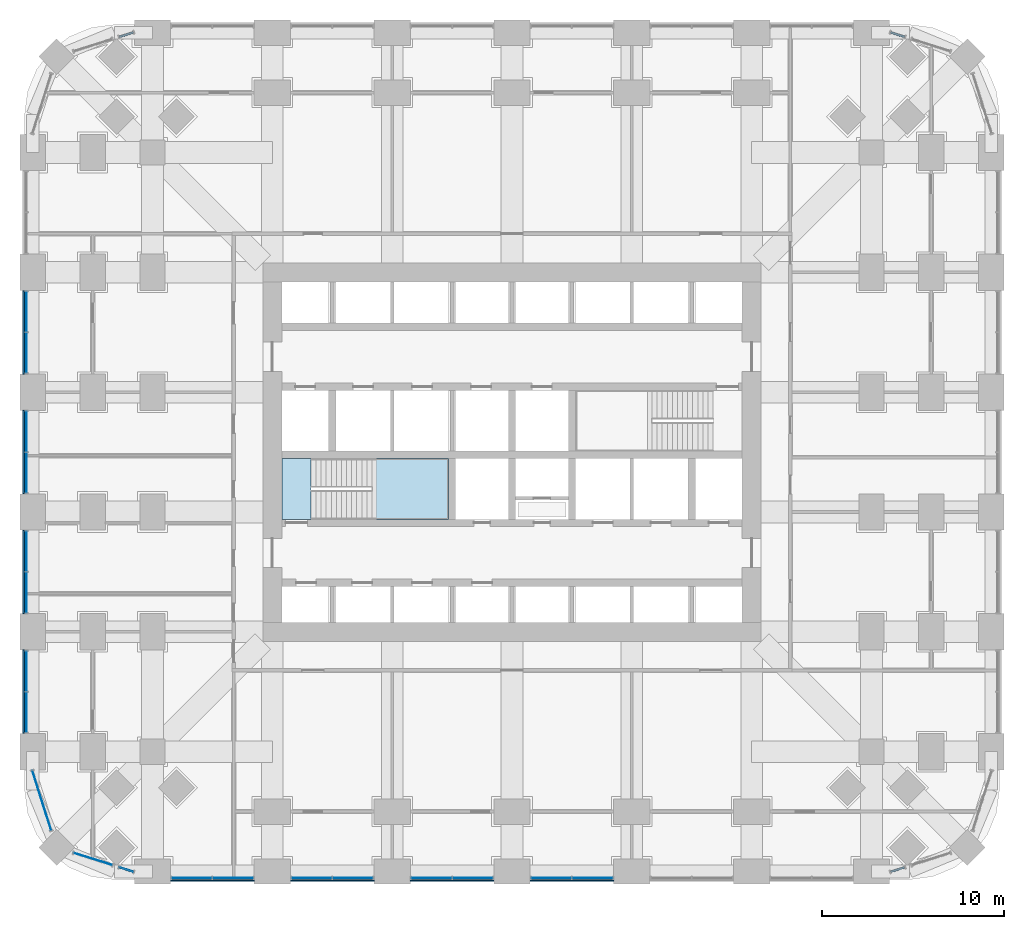
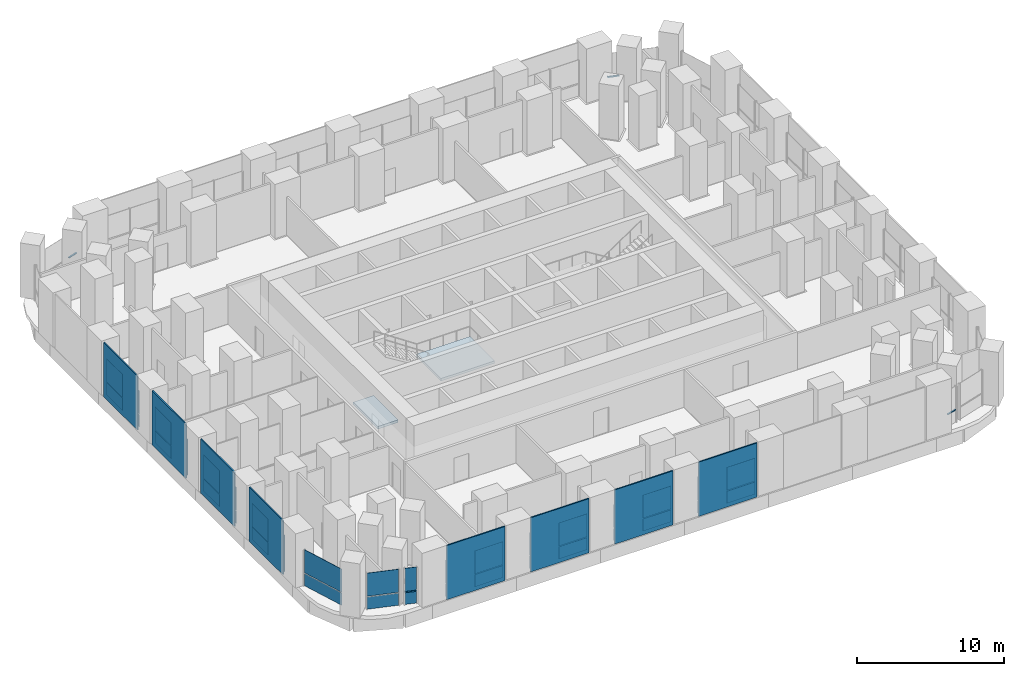
# One storey, part 7 of 17: 46 plates, 4 members, 2 slabs, 15 elements without a shape of their own.
"""IFC4 building model written with IfcOpenShell, lengths in metres."""

from ifc_helpers import new_model, si_unit, direction, frame, origin, origin_2d, place, context, subcontext, project, spatial, polyline, rectangle, outline, extrude, material, layer, layer_set, material_profile, profile_set, type_object, element, aggregate, save


model = new_model("IFC4")

# Units and contexts
model_context = context("Model", 3, precision=1e-05, world=origin(), true_north=direction((0.0, 1.0)))
body_context = subcontext(model_context, "Body", "Model", "MODEL_VIEW")
ifc_project = project(units=[si_unit("LENGTHUNIT", "METRE"), si_unit("AREAUNIT", "SQUARE_METRE"), si_unit("VOLUMEUNIT", "CUBIC_METRE"), si_unit("PLANEANGLEUNIT", "RADIAN"), si_unit("MASSUNIT", "GRAM", prefix="KILO")], contexts=[model_context])

# Site, building, storey
site_placement = place(None, origin())
site = spatial("IfcSite", under=ifc_project, at=site_placement, CompositionType="ELEMENT")
building_placement = place(site_placement, origin())
building = spatial("IfcBuilding", under=site, at=building_placement, Name="Cobogo Forest Laboratory Tower", CompositionType="ELEMENT")
storey_placement = place(building_placement, frame((0.0, 0.0, 12.60009765625)))
storey = spatial("IfcBuildingStorey", under=building, at=storey_placement, Name="L02", CompositionType="ELEMENT", Elevation=12.60009765625)

# Curtain wall, member
ifc_material_1 = material(Name="Aluminium curtain wall", Category="aluminium")
curtain_wall_type = type_object("IfcCurtainWallType", Name="CW-K stick curtain wall, podium laboratories", PredefinedType="USERDEFINED", material=ifc_material_1)
curtain_wall_1_placement = place(storey_placement, origin())
curtain_wall_1 = element("IfcCurtainWall", 1, at=curtain_wall_1_placement, inside=storey, type_object=curtain_wall_type, Name="Curtain wall 07 L02", ObjectType="STICK CURTAIN WALL", PredefinedType="USERDEFINED")
ifc_material_2 = material(Name="Aluminium transom", Category="aluminium")
ifc_material_profile = material_profile(ifc_material_2, rectangle(XDim=0.1201171875, YDim=0.06005859375, at=origin_2d()), Name="AL 60x120")
ifc_profile_set = profile_set([ifc_material_profile], Name="Aluminium transom")
member_type = type_object("IfcMemberType", Name="TR-1 aluminium transom 60x120", PredefinedType="USERDEFINED", material=ifc_profile_set)
member_1_placement = place(storey_placement, frame((47.25732421875, -0.01611328125, 1.0498046875), z_axis=(0.953541389606, 0.301262042596, 0.0), x_axis=(-0.301262042596, 0.953541389606, 0.0)))
member_1 = element("IfcMember", 2, at=member_1_placement, type_object=member_type, Name="CW-K transom 1.1", ObjectType="TRANSOM", PredefinedType="USERDEFINED", context=body_context, shape_type="SweptSolid", body=[
    extrude(rectangle(XDim=0.1201171875, YDim=0.06005859375, at=origin_2d()), origin(), (0.0, 0.0, 1.0), 0.8046875),
])
aggregate(curtain_wall_1, [member_1])

curtain_wall_2_placement = place(storey_placement, origin())
curtain_wall_2 = element("IfcCurtainWall", 3, at=curtain_wall_2_placement, inside=storey, type_object=curtain_wall_type, Name="Curtain wall 17 L02", ObjectType="STICK CURTAIN WALL", PredefinedType="USERDEFINED")
member_2_placement = place(storey_placement, frame((48.024658203125, 45.973876953125, 1.0498046875), z_axis=(-0.953628510017, 0.300986153973, 0.0), x_axis=(-0.300986153973, -0.953628510017, 0.0)))
member_2 = element("IfcMember", 4, at=member_2_placement, type_object=member_type, Name="CW-K transom 1.1", ObjectType="TRANSOM", PredefinedType="USERDEFINED", context=body_context, shape_type="SweptSolid", body=[
    extrude(rectangle(XDim=0.1201171875, YDim=0.06005859375, at=origin_2d()), origin(), (0.0, 0.0, 1.0), 0.8046875),
])
aggregate(curtain_wall_2, [member_2])

curtain_wall_3_placement = place(storey_placement, origin())
curtain_wall_3 = element("IfcCurtainWall", 5, at=curtain_wall_3_placement, inside=storey, type_object=curtain_wall_type, Name="Curtain wall 24 L02", ObjectType="STICK CURTAIN WALL", PredefinedType="USERDEFINED")
member_3_placement = place(storey_placement, frame((5.542724609375, 46.216064453125, 1.0498046875), z_axis=(-0.953628510017, -0.300986153973, 0.0), x_axis=(0.300986153973, -0.953628510017, 0.0)))
member_3 = element("IfcMember", 6, at=member_3_placement, type_object=member_type, Name="CW-K transom 1.1", ObjectType="TRANSOM", PredefinedType="USERDEFINED", context=body_context, shape_type="SweptSolid", body=[
    extrude(rectangle(XDim=0.1201171875, YDim=0.06005859375, at=origin_2d()), origin(), (0.0, 0.0, 1.0), 0.8046875),
])
aggregate(curtain_wall_3, [member_3])

curtain_wall_4_placement = place(storey_placement, origin())
curtain_wall_4 = element("IfcCurtainWall", 7, at=curtain_wall_4_placement, inside=storey, type_object=curtain_wall_type, Name="Curtain wall 34 L02", ObjectType="STICK CURTAIN WALL", PredefinedType="USERDEFINED")
member_4_placement = place(storey_placement, frame((4.775390625, 0.226318359375, 1.0498046875), z_axis=(0.953541389606, -0.301262042596, 0.0), x_axis=(0.301262042596, 0.953541389606, 0.0)))
member_4 = element("IfcMember", 8, at=member_4_placement, type_object=member_type, Name="CW-K transom 1.1", ObjectType="TRANSOM", PredefinedType="USERDEFINED", context=body_context, shape_type="SweptSolid", body=[
    extrude(rectangle(XDim=0.1201171875, YDim=0.06005859375, at=origin_2d()), origin(), (0.0, 0.0, 1.0), 0.8046875),
])

# Plates
ifc_material_3 = material(Name="Pierced concrete block", Category="concrete")
ifc_layer_1 = layer(ifc_material_3, 0.10009765625)
ifc_layer_set_1 = layer_set([ifc_layer_1], Name="CO1 cobogo block screen 100")
plate_type_1 = type_object("IfcPlateType", Name="CO1 cobogo block screen 100", PredefinedType="USERDEFINED", material=ifc_layer_set_1)
for number, where, z_axis, x_axis, name in (
    (9, (9.89990234375, -0.5, -0.150146484375), (0.0, 0.0, 1.0), (1.0, 0.0, 0.0), "Cobogo screen S1 L02"),
    (10, (16.5, -0.5, -0.150146484375), (0.0, 0.0, 1.0), (1.0, 0.0, 0.0), "Cobogo screen S2 L02"),
    (11, (23.10009765625, -0.5, -0.150146484375), (0.0, 0.0, 1.0), (1.0, 0.0, 0.0), "Cobogo screen S3 L02"),
    (12, (29.699951171875, -0.5, -0.150146484375), (0.0, 0.0, 1.0), (1.0, 0.0, 0.0), "Cobogo screen S4 L02"),
    (13, (-0.5, 9.89990234375, -0.150146484375), (0.0, 0.0, 1.0), (0.0, 1.0, 0.0), "Cobogo screen W1 L02"),
    (14, (-0.5, 16.5, -0.150146484375), (0.0, 0.0, 1.0), (0.0, 1.0, 0.0), "Cobogo screen W2 L02"),
    (15, (-0.5, 23.10009765625, -0.150146484375), (0.0, 0.0, 1.0), (0.0, 1.0, 0.0), "Cobogo screen W3 L02"),
    (16, (-0.5, 29.699951171875, -0.150146484375), (0.0, 0.0, 1.0), (0.0, 1.0, 0.0), "Cobogo screen W4 L02"),
):
    element("IfcPlate", number, at=place(storey_placement, frame(where, z_axis=z_axis, x_axis=x_axis)), inside=storey, type_object=plate_type_1, Name=name, ObjectType="COBOGO SCREEN", PredefinedType="USERDEFINED", context=body_context, shape_type="SweptSolid", body=[
        extrude(rectangle(XDim=4.60009765625, YDim=0.10009765625, at=origin_2d()), origin(), (0.0, 0.0, 1.0), 4.5),
    ])

# Curtain wall, plates
curtain_wall_5_placement = place(storey_placement, origin())
curtain_wall_5 = element("IfcCurtainWall", 17, at=curtain_wall_5_placement, inside=storey, type_object=curtain_wall_type, Name="Curtain wall 01 L02", ObjectType="STICK CURTAIN WALL", PredefinedType="USERDEFINED")
ifc_material_4 = material(Name="Clear insulated glass", Category="glass")
ifc_layer_2 = layer(ifc_material_4, 0.028076171875)
ifc_layer_set_2 = layer_set([ifc_layer_2], Name="GP-1 clear insulated glass unit 28")
plate_type_2 = type_object("IfcPlateType", Name="GP-1 clear insulated glass unit 28", PredefinedType="CURTAIN_PANEL", material=ifc_layer_set_2)
plate_1_placement = place(storey_placement, frame((8.764892578125, -0.35009765625, 0.0), z_axis=(0.0, 0.0, 1.0), x_axis=(1.0, 0.0, 0.0)))
plate_1 = element("IfcPlate", 18, at=plate_1_placement, type_object=plate_type_2, Name="CW-K panel 1.1", PredefinedType="CURTAIN_PANEL", context=body_context, shape_type="SweptSolid", body=[
    extrude(rectangle(XDim=2.2099609375, YDim=0.028076171875, at=origin_2d()), origin(), (0.0, 0.0, 1.0), 1.02001953125),
])
plate_2_placement = place(storey_placement, frame((8.764892578125, -0.35009765625, 1.079833984375), z_axis=(0.0, 0.0, 1.0), x_axis=(1.0, 0.0, 0.0)))
plate_2 = element("IfcPlate", 19, at=plate_2_placement, type_object=plate_type_2, Name="CW-K panel 1.2", PredefinedType="CURTAIN_PANEL", context=body_context, shape_type="SweptSolid", body=[
    extrude(rectangle(XDim=2.2099609375, YDim=0.028076171875, at=origin_2d()), origin(), (0.0, 0.0, 1.0), 1.919921875),
])
plate_3_placement = place(storey_placement, frame((11.034912109375, -0.35009765625, 0.0), z_axis=(0.0, 0.0, 1.0), x_axis=(1.0, 0.0, 0.0)))
plate_3 = element("IfcPlate", 20, at=plate_3_placement, type_object=plate_type_2, Name="CW-K panel 2.1", PredefinedType="CURTAIN_PANEL", context=body_context, shape_type="SweptSolid", body=[
    extrude(rectangle(XDim=2.2099609375, YDim=0.028076171875, at=origin_2d()), origin(), (0.0, 0.0, 1.0), 1.02001953125),
])
plate_4_placement = place(storey_placement, frame((11.034912109375, -0.35009765625, 1.079833984375), z_axis=(0.0, 0.0, 1.0), x_axis=(1.0, 0.0, 0.0)))
plate_4 = element("IfcPlate", 21, at=plate_4_placement, type_object=plate_type_2, Name="CW-K panel 2.2", PredefinedType="CURTAIN_PANEL", context=body_context, shape_type="SweptSolid", body=[
    extrude(rectangle(XDim=2.2099609375, YDim=0.028076171875, at=origin_2d()), origin(), (0.0, 0.0, 1.0), 1.919921875),
])
aggregate(curtain_wall_5, [plate_1, plate_2, plate_3, plate_4])

curtain_wall_6_placement = place(storey_placement, origin())
curtain_wall_6 = element("IfcCurtainWall", 22, at=curtain_wall_6_placement, inside=storey, type_object=curtain_wall_type, Name="Curtain wall 02 L02", ObjectType="STICK CURTAIN WALL", PredefinedType="USERDEFINED")
plate_5_placement = place(storey_placement, frame((15.364990234375, -0.35009765625, 0.0), z_axis=(0.0, 0.0, 1.0), x_axis=(1.0, 0.0, 0.0)))
plate_5 = element("IfcPlate", 23, at=plate_5_placement, type_object=plate_type_2, Name="CW-K panel 1.1", PredefinedType="CURTAIN_PANEL", context=body_context, shape_type="SweptSolid", body=[
    extrude(rectangle(XDim=2.2099609375, YDim=0.028076171875, at=origin_2d()), origin(), (0.0, 0.0, 1.0), 1.02001953125),
])
plate_6_placement = place(storey_placement, frame((15.364990234375, -0.35009765625, 1.079833984375), z_axis=(0.0, 0.0, 1.0), x_axis=(1.0, 0.0, 0.0)))
plate_6 = element("IfcPlate", 24, at=plate_6_placement, type_object=plate_type_2, Name="CW-K panel 1.2", PredefinedType="CURTAIN_PANEL", context=body_context, shape_type="SweptSolid", body=[
    extrude(rectangle(XDim=2.2099609375, YDim=0.028076171875, at=origin_2d()), origin(), (0.0, 0.0, 1.0), 1.919921875),
])
plate_7_placement = place(storey_placement, frame((17.635009765625, -0.35009765625, 0.0), z_axis=(0.0, 0.0, 1.0), x_axis=(1.0, 0.0, 0.0)))
plate_7 = element("IfcPlate", 25, at=plate_7_placement, type_object=plate_type_2, Name="CW-K panel 2.1", PredefinedType="CURTAIN_PANEL", context=body_context, shape_type="SweptSolid", body=[
    extrude(rectangle(XDim=2.2099609375, YDim=0.028076171875, at=origin_2d()), origin(), (0.0, 0.0, 1.0), 1.02001953125),
])
plate_8_placement = place(storey_placement, frame((17.635009765625, -0.35009765625, 1.079833984375), z_axis=(0.0, 0.0, 1.0), x_axis=(1.0, 0.0, 0.0)))
plate_8 = element("IfcPlate", 26, at=plate_8_placement, type_object=plate_type_2, Name="CW-K panel 2.2", PredefinedType="CURTAIN_PANEL", context=body_context, shape_type="SweptSolid", body=[
    extrude(rectangle(XDim=2.2099609375, YDim=0.028076171875, at=origin_2d()), origin(), (0.0, 0.0, 1.0), 1.919921875),
])
aggregate(curtain_wall_6, [plate_5, plate_6, plate_7, plate_8])

curtain_wall_7_placement = place(storey_placement, origin())
curtain_wall_7 = element("IfcCurtainWall", 27, at=curtain_wall_7_placement, inside=storey, type_object=curtain_wall_type, Name="Curtain wall 03 L02", ObjectType="STICK CURTAIN WALL", PredefinedType="USERDEFINED")
plate_9_placement = place(storey_placement, frame((21.965087890625, -0.35009765625, 0.0), z_axis=(0.0, 0.0, 1.0), x_axis=(1.0, 0.0, 0.0)))
plate_9 = element("IfcPlate", 28, at=plate_9_placement, type_object=plate_type_2, Name="CW-K panel 1.1", PredefinedType="CURTAIN_PANEL", context=body_context, shape_type="SweptSolid", body=[
    extrude(rectangle(XDim=2.2099609375, YDim=0.028076171875, at=origin_2d()), origin(), (0.0, 0.0, 1.0), 1.02001953125),
])
plate_10_placement = place(storey_placement, frame((21.965087890625, -0.35009765625, 1.079833984375), z_axis=(0.0, 0.0, 1.0), x_axis=(1.0, 0.0, 0.0)))
plate_10 = element("IfcPlate", 29, at=plate_10_placement, type_object=plate_type_2, Name="CW-K panel 1.2", PredefinedType="CURTAIN_PANEL", context=body_context, shape_type="SweptSolid", body=[
    extrude(rectangle(XDim=2.2099609375, YDim=0.028076171875, at=origin_2d()), origin(), (0.0, 0.0, 1.0), 1.919921875),
])
plate_11_placement = place(storey_placement, frame((24.235107421875, -0.35009765625, 0.0), z_axis=(0.0, 0.0, 1.0), x_axis=(1.0, 0.0, 0.0)))
plate_11 = element("IfcPlate", 30, at=plate_11_placement, type_object=plate_type_2, Name="CW-K panel 2.1", PredefinedType="CURTAIN_PANEL", context=body_context, shape_type="SweptSolid", body=[
    extrude(rectangle(XDim=2.2099609375, YDim=0.028076171875, at=origin_2d()), origin(), (0.0, 0.0, 1.0), 1.02001953125),
])
plate_12_placement = place(storey_placement, frame((24.235107421875, -0.35009765625, 1.079833984375), z_axis=(0.0, 0.0, 1.0), x_axis=(1.0, 0.0, 0.0)))
plate_12 = element("IfcPlate", 31, at=plate_12_placement, type_object=plate_type_2, Name="CW-K panel 2.2", PredefinedType="CURTAIN_PANEL", context=body_context, shape_type="SweptSolid", body=[
    extrude(rectangle(XDim=2.2099609375, YDim=0.028076171875, at=origin_2d()), origin(), (0.0, 0.0, 1.0), 1.919921875),
])
aggregate(curtain_wall_7, [plate_9, plate_10, plate_11, plate_12])

curtain_wall_8_placement = place(storey_placement, origin())
curtain_wall_8 = element("IfcCurtainWall", 32, at=curtain_wall_8_placement, inside=storey, type_object=curtain_wall_type, Name="Curtain wall 04 L02", ObjectType="STICK CURTAIN WALL", PredefinedType="USERDEFINED")
plate_13_placement = place(storey_placement, frame((28.56494140625, -0.35009765625, 0.0), z_axis=(0.0, 0.0, 1.0), x_axis=(1.0, 0.0, 0.0)))
plate_13 = element("IfcPlate", 33, at=plate_13_placement, type_object=plate_type_2, Name="CW-K panel 1.1", PredefinedType="CURTAIN_PANEL", context=body_context, shape_type="SweptSolid", body=[
    extrude(rectangle(XDim=2.2099609375, YDim=0.028076171875, at=origin_2d()), origin(), (0.0, 0.0, 1.0), 1.02001953125),
])
plate_14_placement = place(storey_placement, frame((28.56494140625, -0.35009765625, 1.079833984375), z_axis=(0.0, 0.0, 1.0), x_axis=(1.0, 0.0, 0.0)))
plate_14 = element("IfcPlate", 34, at=plate_14_placement, type_object=plate_type_2, Name="CW-K panel 1.2", PredefinedType="CURTAIN_PANEL", context=body_context, shape_type="SweptSolid", body=[
    extrude(rectangle(XDim=2.2099609375, YDim=0.028076171875, at=origin_2d()), origin(), (0.0, 0.0, 1.0), 1.919921875),
])
plate_15_placement = place(storey_placement, frame((30.8349609375, -0.35009765625, 0.0), z_axis=(0.0, 0.0, 1.0), x_axis=(1.0, 0.0, 0.0)))
plate_15 = element("IfcPlate", 35, at=plate_15_placement, type_object=plate_type_2, Name="CW-K panel 2.1", PredefinedType="CURTAIN_PANEL", context=body_context, shape_type="SweptSolid", body=[
    extrude(rectangle(XDim=2.2099609375, YDim=0.028076171875, at=origin_2d()), origin(), (0.0, 0.0, 1.0), 1.02001953125),
])
plate_16_placement = place(storey_placement, frame((30.8349609375, -0.35009765625, 1.079833984375), z_axis=(0.0, 0.0, 1.0), x_axis=(1.0, 0.0, 0.0)))
plate_16 = element("IfcPlate", 36, at=plate_16_placement, type_object=plate_type_2, Name="CW-K panel 2.2", PredefinedType="CURTAIN_PANEL", context=body_context, shape_type="SweptSolid", body=[
    extrude(rectangle(XDim=2.2099609375, YDim=0.028076171875, at=origin_2d()), origin(), (0.0, 0.0, 1.0), 1.919921875),
])
aggregate(curtain_wall_8, [plate_13, plate_14, plate_15, plate_16])

curtain_wall_9_placement = place(storey_placement, origin())
curtain_wall_9 = element("IfcCurtainWall", 37, at=curtain_wall_9_placement, inside=storey, type_object=curtain_wall_type, Name="Curtain wall 28 L02", ObjectType="STICK CURTAIN WALL", PredefinedType="USERDEFINED")
plate_17_placement = place(storey_placement, frame((-0.35009765625, 30.8349609375, 0.0), z_axis=(0.0, 0.0, 1.0), x_axis=(0.0, -1.0, 0.0)))
plate_17 = element("IfcPlate", 38, at=plate_17_placement, type_object=plate_type_2, Name="CW-K panel 1.1", PredefinedType="CURTAIN_PANEL", context=body_context, shape_type="SweptSolid", body=[
    extrude(rectangle(XDim=2.2099609375, YDim=0.028076171875, at=origin_2d()), origin(), (0.0, 0.0, 1.0), 1.02001953125),
])
plate_18_placement = place(storey_placement, frame((-0.35009765625, 30.8349609375, 1.079833984375), z_axis=(0.0, 0.0, 1.0), x_axis=(0.0, -1.0, 0.0)))
plate_18 = element("IfcPlate", 39, at=plate_18_placement, type_object=plate_type_2, Name="CW-K panel 1.2", PredefinedType="CURTAIN_PANEL", context=body_context, shape_type="SweptSolid", body=[
    extrude(rectangle(XDim=2.2099609375, YDim=0.028076171875, at=origin_2d()), origin(), (0.0, 0.0, 1.0), 1.919921875),
])
plate_19_placement = place(storey_placement, frame((-0.35009765625, 28.56494140625, 0.0), z_axis=(0.0, 0.0, 1.0), x_axis=(0.0, -1.0, 0.0)))
plate_19 = element("IfcPlate", 40, at=plate_19_placement, type_object=plate_type_2, Name="CW-K panel 2.1", PredefinedType="CURTAIN_PANEL", context=body_context, shape_type="SweptSolid", body=[
    extrude(rectangle(XDim=2.2099609375, YDim=0.028076171875, at=origin_2d()), origin(), (0.0, 0.0, 1.0), 1.02001953125),
])
plate_20_placement = place(storey_placement, frame((-0.35009765625, 28.56494140625, 1.079833984375), z_axis=(0.0, 0.0, 1.0), x_axis=(0.0, -1.0, 0.0)))
plate_20 = element("IfcPlate", 41, at=plate_20_placement, type_object=plate_type_2, Name="CW-K panel 2.2", PredefinedType="CURTAIN_PANEL", context=body_context, shape_type="SweptSolid", body=[
    extrude(rectangle(XDim=2.2099609375, YDim=0.028076171875, at=origin_2d()), origin(), (0.0, 0.0, 1.0), 1.919921875),
])
aggregate(curtain_wall_9, [plate_17, plate_18, plate_19, plate_20])

curtain_wall_10_placement = place(storey_placement, origin())
curtain_wall_10 = element("IfcCurtainWall", 42, at=curtain_wall_10_placement, inside=storey, type_object=curtain_wall_type, Name="Curtain wall 29 L02", ObjectType="STICK CURTAIN WALL", PredefinedType="USERDEFINED")
plate_21_placement = place(storey_placement, frame((-0.35009765625, 24.235107421875, 0.0), z_axis=(0.0, 0.0, 1.0), x_axis=(0.0, -1.0, 0.0)))
plate_21 = element("IfcPlate", 43, at=plate_21_placement, type_object=plate_type_2, Name="CW-K panel 1.1", PredefinedType="CURTAIN_PANEL", context=body_context, shape_type="SweptSolid", body=[
    extrude(rectangle(XDim=2.2099609375, YDim=0.028076171875, at=origin_2d()), origin(), (0.0, 0.0, 1.0), 1.02001953125),
])
plate_22_placement = place(storey_placement, frame((-0.35009765625, 24.235107421875, 1.079833984375), z_axis=(0.0, 0.0, 1.0), x_axis=(0.0, -1.0, 0.0)))
plate_22 = element("IfcPlate", 44, at=plate_22_placement, type_object=plate_type_2, Name="CW-K panel 1.2", PredefinedType="CURTAIN_PANEL", context=body_context, shape_type="SweptSolid", body=[
    extrude(rectangle(XDim=2.2099609375, YDim=0.028076171875, at=origin_2d()), origin(), (0.0, 0.0, 1.0), 1.919921875),
])
plate_23_placement = place(storey_placement, frame((-0.35009765625, 21.965087890625, 0.0), z_axis=(0.0, 0.0, 1.0), x_axis=(0.0, -1.0, 0.0)))
plate_23 = element("IfcPlate", 45, at=plate_23_placement, type_object=plate_type_2, Name="CW-K panel 2.1", PredefinedType="CURTAIN_PANEL", context=body_context, shape_type="SweptSolid", body=[
    extrude(rectangle(XDim=2.2099609375, YDim=0.028076171875, at=origin_2d()), origin(), (0.0, 0.0, 1.0), 1.02001953125),
])
plate_24_placement = place(storey_placement, frame((-0.35009765625, 21.965087890625, 1.079833984375), z_axis=(0.0, 0.0, 1.0), x_axis=(0.0, -1.0, 0.0)))
plate_24 = element("IfcPlate", 46, at=plate_24_placement, type_object=plate_type_2, Name="CW-K panel 2.2", PredefinedType="CURTAIN_PANEL", context=body_context, shape_type="SweptSolid", body=[
    extrude(rectangle(XDim=2.2099609375, YDim=0.028076171875, at=origin_2d()), origin(), (0.0, 0.0, 1.0), 1.919921875),
])
aggregate(curtain_wall_10, [plate_21, plate_22, plate_23, plate_24])

curtain_wall_11_placement = place(storey_placement, origin())
curtain_wall_11 = element("IfcCurtainWall", 47, at=curtain_wall_11_placement, inside=storey, type_object=curtain_wall_type, Name="Curtain wall 30 L02", ObjectType="STICK CURTAIN WALL", PredefinedType="USERDEFINED")
plate_25_placement = place(storey_placement, frame((-0.35009765625, 17.635009765625, 0.0), z_axis=(0.0, 0.0, 1.0), x_axis=(0.0, -1.0, 0.0)))
plate_25 = element("IfcPlate", 48, at=plate_25_placement, type_object=plate_type_2, Name="CW-K panel 1.1", PredefinedType="CURTAIN_PANEL", context=body_context, shape_type="SweptSolid", body=[
    extrude(rectangle(XDim=2.2099609375, YDim=0.028076171875, at=origin_2d()), origin(), (0.0, 0.0, 1.0), 1.02001953125),
])
plate_26_placement = place(storey_placement, frame((-0.35009765625, 17.635009765625, 1.079833984375), z_axis=(0.0, 0.0, 1.0), x_axis=(0.0, -1.0, 0.0)))
plate_26 = element("IfcPlate", 49, at=plate_26_placement, type_object=plate_type_2, Name="CW-K panel 1.2", PredefinedType="CURTAIN_PANEL", context=body_context, shape_type="SweptSolid", body=[
    extrude(rectangle(XDim=2.2099609375, YDim=0.028076171875, at=origin_2d()), origin(), (0.0, 0.0, 1.0), 1.919921875),
])
plate_27_placement = place(storey_placement, frame((-0.35009765625, 15.364990234375, 0.0), z_axis=(0.0, 0.0, 1.0), x_axis=(0.0, -1.0, 0.0)))
plate_27 = element("IfcPlate", 50, at=plate_27_placement, type_object=plate_type_2, Name="CW-K panel 2.1", PredefinedType="CURTAIN_PANEL", context=body_context, shape_type="SweptSolid", body=[
    extrude(rectangle(XDim=2.2099609375, YDim=0.028076171875, at=origin_2d()), origin(), (0.0, 0.0, 1.0), 1.02001953125),
])
plate_28_placement = place(storey_placement, frame((-0.35009765625, 15.364990234375, 1.079833984375), z_axis=(0.0, 0.0, 1.0), x_axis=(0.0, -1.0, 0.0)))
plate_28 = element("IfcPlate", 51, at=plate_28_placement, type_object=plate_type_2, Name="CW-K panel 2.2", PredefinedType="CURTAIN_PANEL", context=body_context, shape_type="SweptSolid", body=[
    extrude(rectangle(XDim=2.2099609375, YDim=0.028076171875, at=origin_2d()), origin(), (0.0, 0.0, 1.0), 1.919921875),
])
aggregate(curtain_wall_11, [plate_25, plate_26, plate_27, plate_28])

curtain_wall_12_placement = place(storey_placement, origin())
curtain_wall_12 = element("IfcCurtainWall", 52, at=curtain_wall_12_placement, inside=storey, type_object=curtain_wall_type, Name="Curtain wall 31 L02", ObjectType="STICK CURTAIN WALL", PredefinedType="USERDEFINED")
plate_29_placement = place(storey_placement, frame((-0.35009765625, 11.034912109375, 0.0), z_axis=(0.0, 0.0, 1.0), x_axis=(0.0, -1.0, 0.0)))
plate_29 = element("IfcPlate", 53, at=plate_29_placement, type_object=plate_type_2, Name="CW-K panel 1.1", PredefinedType="CURTAIN_PANEL", context=body_context, shape_type="SweptSolid", body=[
    extrude(rectangle(XDim=2.2099609375, YDim=0.028076171875, at=origin_2d()), origin(), (0.0, 0.0, 1.0), 1.02001953125),
])
plate_30_placement = place(storey_placement, frame((-0.35009765625, 11.034912109375, 1.079833984375), z_axis=(0.0, 0.0, 1.0), x_axis=(0.0, -1.0, 0.0)))
plate_30 = element("IfcPlate", 54, at=plate_30_placement, type_object=plate_type_2, Name="CW-K panel 1.2", PredefinedType="CURTAIN_PANEL", context=body_context, shape_type="SweptSolid", body=[
    extrude(rectangle(XDim=2.2099609375, YDim=0.028076171875, at=origin_2d()), origin(), (0.0, 0.0, 1.0), 1.919921875),
])
plate_31_placement = place(storey_placement, frame((-0.35009765625, 8.764892578125, 0.0), z_axis=(0.0, 0.0, 1.0), x_axis=(0.0, -1.0, 0.0)))
plate_31 = element("IfcPlate", 55, at=plate_31_placement, type_object=plate_type_2, Name="CW-K panel 2.1", PredefinedType="CURTAIN_PANEL", context=body_context, shape_type="SweptSolid", body=[
    extrude(rectangle(XDim=2.2099609375, YDim=0.028076171875, at=origin_2d()), origin(), (0.0, 0.0, 1.0), 1.02001953125),
])
plate_32_placement = place(storey_placement, frame((-0.35009765625, 8.764892578125, 1.079833984375), z_axis=(0.0, 0.0, 1.0), x_axis=(0.0, -1.0, 0.0)))
plate_32 = element("IfcPlate", 56, at=plate_32_placement, type_object=plate_type_2, Name="CW-K panel 2.2", PredefinedType="CURTAIN_PANEL", context=body_context, shape_type="SweptSolid", body=[
    extrude(rectangle(XDim=2.2099609375, YDim=0.028076171875, at=origin_2d()), origin(), (0.0, 0.0, 1.0), 1.919921875),
])
aggregate(curtain_wall_12, [plate_29, plate_30, plate_31, plate_32])

curtain_wall_13_placement = place(storey_placement, origin())
curtain_wall_13 = element("IfcCurtainWall", 57, at=curtain_wall_13_placement, inside=storey, type_object=curtain_wall_type, Name="Curtain wall 32 L02", ObjectType="STICK CURTAIN WALL", PredefinedType="USERDEFINED")
plate_33_placement = place(storey_placement, frame((0.5009765625, 3.905029296875, 0.0), z_axis=(0.0, 0.0, 1.0), x_axis=(0.301135433696, -0.953581381201, 0.0)))
plate_33 = element("IfcPlate", 58, at=plate_33_placement, type_object=plate_type_2, Name="CW-K panel 1.1", PredefinedType="CURTAIN_PANEL", context=body_context, shape_type="SweptSolid", body=[
    extrude(rectangle(XDim=3.434814453125, YDim=0.028076171875, at=origin_2d()), origin(), (0.0, 0.0, 1.0), 1.02001953125),
])
plate_34_placement = place(storey_placement, frame((0.5009765625, 3.905029296875, 1.079833984375), z_axis=(0.0, 0.0, 1.0), x_axis=(0.301135433696, -0.953581381201, 0.0)))
plate_34 = element("IfcPlate", 59, at=plate_34_placement, type_object=plate_type_2, Name="CW-K panel 1.2", PredefinedType="CURTAIN_PANEL", context=body_context, shape_type="SweptSolid", body=[
    extrude(rectangle(XDim=3.434814453125, YDim=0.028076171875, at=origin_2d()), origin(), (0.0, 0.0, 1.0), 1.919921875),
])
aggregate(curtain_wall_13, [plate_33, plate_34])

curtain_wall_14_placement = place(storey_placement, origin())
curtain_wall_14 = element("IfcCurtainWall", 60, at=curtain_wall_14_placement, inside=storey, type_object=curtain_wall_type, Name="Curtain wall 33 L02", ObjectType="STICK CURTAIN WALL", PredefinedType="USERDEFINED")
plate_35_placement = place(storey_placement, frame((3.31787109375, 0.6865234375, 0.0), z_axis=(0.0, 0.0, 1.0), x_axis=(0.953581409645, -0.301135343623, 0.0)))
plate_35 = element("IfcPlate", 61, at=plate_35_placement, type_object=plate_type_2, Name="CW-K panel 1.1", PredefinedType="CURTAIN_PANEL", context=body_context, shape_type="SweptSolid", body=[
    extrude(rectangle(XDim=2.203369140625, YDim=0.028076171875, at=origin_2d()), origin(), (0.0, 0.0, 1.0), 1.02001953125),
])
plate_36_placement = place(storey_placement, frame((3.31787109375, 0.6865234375, 1.079833984375), z_axis=(0.0, 0.0, 1.0), x_axis=(0.953581409645, -0.301135343623, 0.0)))
plate_36 = element("IfcPlate", 62, at=plate_36_placement, type_object=plate_type_2, Name="CW-K panel 1.2", PredefinedType="CURTAIN_PANEL", context=body_context, shape_type="SweptSolid", body=[
    extrude(rectangle(XDim=2.203369140625, YDim=0.028076171875, at=origin_2d()), origin(), (0.0, 0.0, 1.0), 1.919921875),
])
aggregate(curtain_wall_14, [plate_35, plate_36])

# Plate
plate_37_placement = place(storey_placement, frame((5.158935546875, 0.10498046875, 0.0), z_axis=(0.0, 0.0, 1.0), x_axis=(0.953581406818, -0.301135352577, 0.0)))
plate_37 = element("IfcPlate", 63, at=plate_37_placement, type_object=plate_type_2, Name="CW-K panel 1.1", PredefinedType="CURTAIN_PANEL", context=body_context, shape_type="SweptSolid", body=[
    extrude(rectangle(XDim=0.804931640625, YDim=0.028076171875, at=origin_2d()), origin(), (0.0, 0.0, 1.0), 1.02001953125),
])

plate_38_placement = place(storey_placement, frame((5.158935546875, 0.10498046875, 1.079833984375), z_axis=(0.0, 0.0, 1.0), x_axis=(0.953581406818, -0.301135352577, 0.0)))
plate_38 = element("IfcPlate", 64, at=plate_38_placement, type_object=plate_type_2, Name="CW-K panel 1.2", PredefinedType="CURTAIN_PANEL", context=body_context, shape_type="SweptSolid", body=[
    extrude(rectangle(XDim=0.804931640625, YDim=0.028076171875, at=origin_2d()), origin(), (0.0, 0.0, 1.0), 1.919921875),
])

aggregate(curtain_wall_4, [member_4, plate_37, plate_38])

# Stair, slabs
ifc_material_5 = material(Name="Precast concrete HA-40 (C40/50)", Category="concrete")
stair_type = type_object("IfcStairType", Name="ST26 exit stair 26 risers", PredefinedType="HALF_TURN_STAIR", material=ifc_material_5)
stair_placement = place(storey_placement, origin())
stair = element("IfcStair", 65, at=stair_placement, inside=storey, type_object=stair_type, Name="Stair 1 L02 to L03", PredefinedType="HALF_TURN_STAIR")
ifc_material_6 = material(Name="Concrete HA-40 (C40/50)", Category="concrete")
ifc_layer_3 = layer(ifc_material_6, 0.199951171875)
ifc_layer_set_3 = layer_set([ifc_layer_3], Name="SL stair landing 200")
slab_type = type_object("IfcSlabType", Name="SL stair landing 200", PredefinedType="LANDING", material=ifc_layer_set_3)
slab_1_placement = place(storey_placement, frame((0.0, 0.0, -0.2001953125)))
slab_1 = element("IfcSlab", 66, at=slab_1_placement, type_object=slab_type, Name="ST1 landing 1", PredefinedType="LANDING", context=body_context, shape_type="SweptSolid", body=[
    extrude(outline(polyline([(13.72509765625, 19.39990234375), (15.326904296875, 19.39990234375), (15.326904296875, 22.75), (13.72509765625, 22.75), (13.72509765625, 19.39990234375)])), origin(), (0.0, 0.0, 1.0), 0.2001953125),
])
slab_2_placement = place(storey_placement, frame((0.0, 0.0, 2.0498046875)))
slab_2 = element("IfcSlab", 67, at=slab_2_placement, type_object=slab_type, Name="ST1 landing 2", PredefinedType="LANDING", context=body_context, shape_type="SweptSolid", body=[
    extrude(outline(polyline([(18.68310546875, 19.39990234375), (22.89990234375, 19.39990234375), (22.89990234375, 22.75), (18.68310546875, 22.75), (18.68310546875, 19.39990234375)])), origin(), (0.0, 0.0, 1.0), 0.2001953125),
])
aggregate(stair, [slab_1, slab_2])

save(model, "model.ifc")
